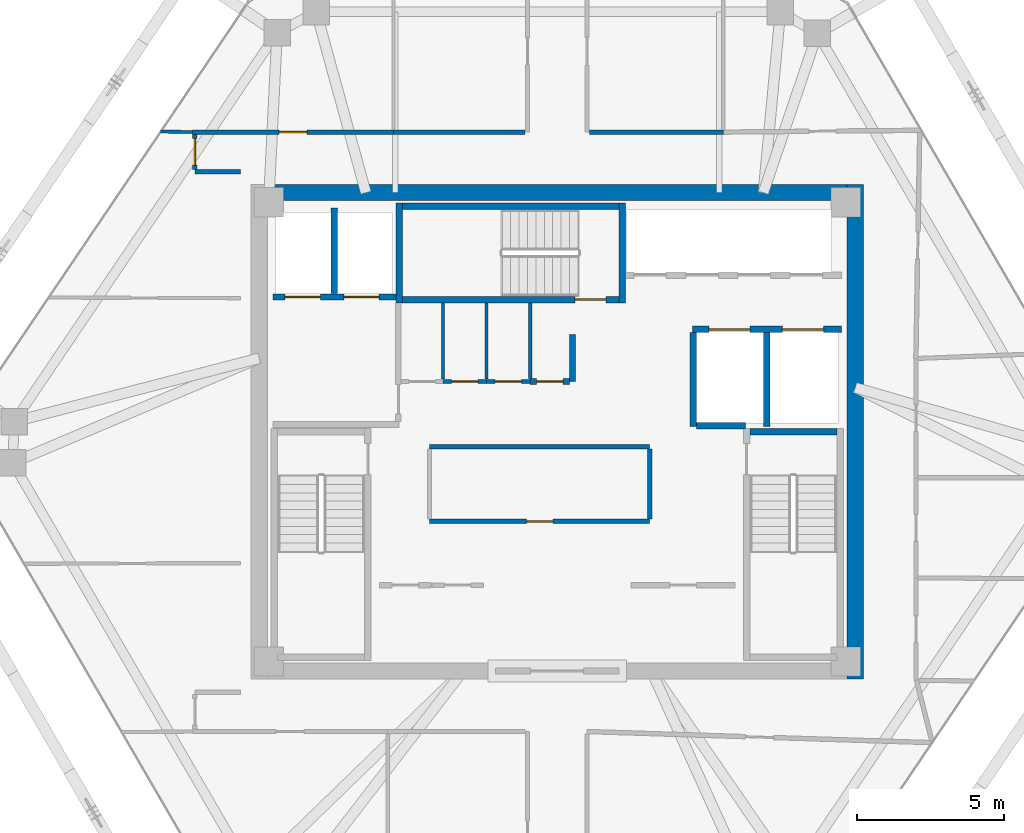
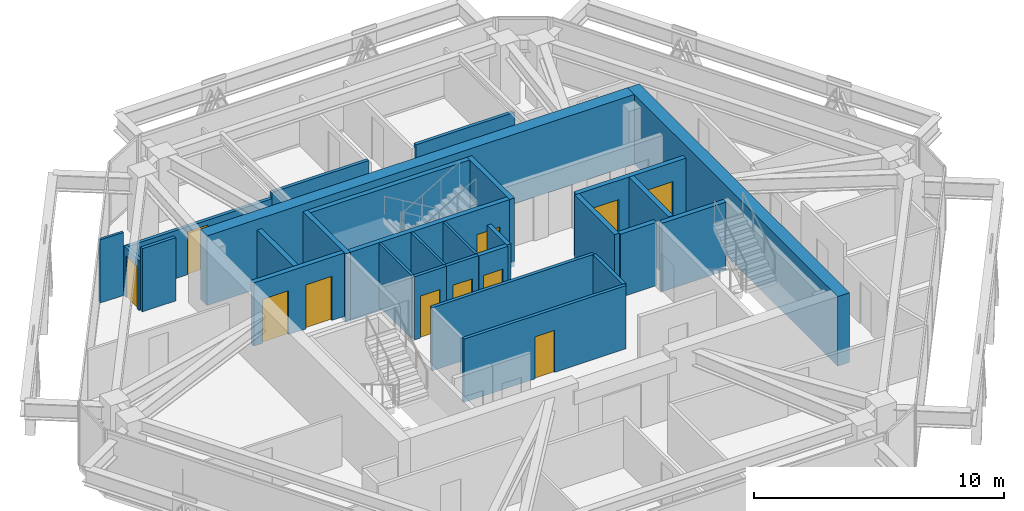
# One storey, part 11 of 14: 29 walls, 11 doors, 11 openings.
"""IFC4 building model written with IfcOpenShell, lengths in metres."""

from ifc_helpers import new_model, si_unit, direction, frame, frame_2d, origin, place, context, subcontext, project, spatial, rectangle, extrude, source, transform, mapped, material, layer, layer_set, type_object, type_shapes, element, fill, save


model = new_model("IFC4")

# Units and contexts
model_context = context("Model", 3, precision=1e-05, world=origin(), true_north=direction((0.0, 1.0)))
body_context = subcontext(model_context, "Body", "Model", "MODEL_VIEW")
ifc_project = project(units=[si_unit("LENGTHUNIT", "METRE"), si_unit("AREAUNIT", "SQUARE_METRE"), si_unit("VOLUMEUNIT", "CUBIC_METRE"), si_unit("PLANEANGLEUNIT", "RADIAN"), si_unit("MASSUNIT", "GRAM", prefix="KILO")], contexts=[model_context])

# Site, building, storey
site_placement = place(None, origin())
site = spatial("IfcSite", under=ifc_project, at=site_placement, CompositionType="ELEMENT")
building_placement = place(site_placement, origin())
building = spatial("IfcBuilding", under=site, at=building_placement, Name="Durnholm Broadcast Tower", CompositionType="ELEMENT")
storey_placement = place(building_placement, frame((0.0, 0.0, 261.5)))
storey = spatial("IfcBuildingStorey", under=building, at=storey_placement, Name="L73", CompositionType="ELEMENT", Elevation=261.5)

# Walls
ifc_material_1 = material(Name="Concrete C70/85", Category="concrete")
ifc_layer_1 = layer(ifc_material_1, 0.550048828125)
ifc_layer_set_1 = layer_set([ifc_layer_1], Name="Concrete C70/85")
wall_type_1 = type_object("IfcWallType", Name="WALL-CW-550", PredefinedType="SHEAR", material=ifc_layer_set_1)
wall_1_placement = place(storey_placement, frame((10.125, -8.39990234375, 0.0), z_axis=(0.0, 0.0, 1.0), x_axis=(0.0, 1.0, 0.0)))
element("IfcWall", 1, at=wall_1_placement, inside=storey, type_object=wall_type_1, Name="L73 central core shear wall CW-EAST", PredefinedType="SHEAR", context=body_context, shape_type="SweptSolid", body=[
    extrude(rectangle(XDim=16.7998046875, YDim=0.550048828125, at=frame_2d((8.39990234375, 0.0))), origin(), (0.0, 0.0, 1.0), 3.39990234375),
])
wall_2_placement = place(storey_placement, frame((-9.85009765625, 8.125, 0.0), z_axis=(0.0, 0.0, 1.0), x_axis=(1.0, 0.0, 0.0)))
element("IfcWall", 2, at=wall_2_placement, inside=storey, type_object=wall_type_1, Name="L73 central core shear wall CW-N", PredefinedType="SHEAR", context=body_context, shape_type="SweptSolid", body=[
    extrude(rectangle(XDim=19.7001953125, YDim=0.550048828125, at=frame_2d((9.85009765625, 0.0))), origin(), (0.0, 0.0, 1.0), 3.39990234375),
])
ifc_material_2 = material(Name="Fire-Rated Gypsum Shaftwall", Category="concrete")
ifc_layer_2 = layer(ifc_material_2, 0.199951171875)
ifc_layer_set_2 = layer_set([ifc_layer_2], Name="Fire-Rated Gypsum Shaftwall")
wall_type_2 = type_object("IfcWallType", Name="WALL-LOB-200", PredefinedType="SOLIDWALL", material=ifc_layer_set_2)
wall_3_placement = place(storey_placement, frame((0.52001953125, 3.300048828125, 0.0), z_axis=(0.0, 0.0, 1.0), x_axis=(0.0, -1.0, 0.0)))
element("IfcWall", 3, at=wall_3_placement, inside=storey, type_object=wall_type_2, Name="L73 Core Signal Sync Room corridor partition", PredefinedType="SOLIDWALL", context=body_context, shape_type="SweptSolid", body=[
    extrude(rectangle(XDim=1.590087890625, YDim=0.199951171875, at=frame_2d((0.794921875, 0.0))), origin(), (0.0, 0.0, 1.0), 3.0849609375),
])

# Wall, opening, door
wall_4_placement = place(storey_placement, frame((0.416015625, 1.7099609375, 0.0), z_axis=(0.0, 0.0, 1.0), x_axis=(-1.0, 0.0, 0.0)))
wall_4 = element("IfcWall", 4, at=wall_4_placement, inside=storey, type_object=wall_type_2, Name="L73 Core Signal Sync Room corridor partition", PredefinedType="SOLIDWALL", context=body_context, shape_type="SweptSolid", body=[
    extrude(rectangle(XDim=1.3359375, YDim=0.199951171875, at=frame_2d((0.66796875, 0.0))), origin(), (0.0, 0.0, 1.0), 3.0849609375),
])
opening_1_placement = place(wall_4_placement, frame((0.218017578125, 0.0, 0.0)))
opening_1 = element("IfcOpeningElement", 5, at=opening_1_placement, cuts=wall_4, Name="Opening DC-60R", PredefinedType="OPENING", context=body_context, shape_type="SweptSolid", body=[
    extrude(rectangle(XDim=0.89990234375, YDim=2.050048828125, at=frame_2d((0.449951171875, 1.02490234375))), frame((0.0, 0.10986328125, 0.0), z_axis=(0.0, -1.0, 0.0), x_axis=(1.0, 0.0, 0.0)), (0.0, 0.0, 1.0), 0.219970703125),
])
ifc_material_3 = material(Name="Fire-Rated Core Service Door", Category="steel")
ifc_layer_3 = layer(ifc_material_3, 0.050048828125)
ifc_layer_set_3 = layer_set([ifc_layer_3], Name="Fire-Rated Core Service Door")
door_type_1 = type_object("IfcDoorType", Name="DOOR-CORE-FD60-R", OperationType="NOTDEFINED", PredefinedType="DOOR", material=ifc_layer_set_3)
shared_shape_1 = source(origin(), body_context, "Body", "SweptSolid", [
    extrude(rectangle(XDim=0.89990234375, YDim=2.050048828125, at=frame_2d((0.449951171875, 1.02490234375))), frame((0.0, 0.02490234375, 0.0), z_axis=(0.0, -1.0, 0.0), x_axis=(1.0, 0.0, 0.0)), (0.0, 0.0, 1.0), 0.050048828125),
])
type_shapes(door_type_1, [shared_shape_1])
door_1_placement = place(opening_1_placement, origin())
door_1 = element("IfcDoor", 6, at=door_1_placement, inside=storey, type_object=door_type_1, Name="L73 Core Signal Sync Room entrance door", OperationType="SINGLE_SWING_RIGHT", OverallHeight=2.050048828125, OverallWidth=0.89990234375, PredefinedType="DOOR", context=body_context, shape_type="MappedRepresentation", body=[
    mapped(shared_shape_1, transform((0.0, 0.0, 0.0), x_axis=(1.0, 0.0, 0.0), y_axis=(0.0, 1.0, 0.0), z_axis=(0.0, 0.0, 1.0), scale=1.0)),
])
fill(opening_1, door_1)

# Walls
ifc_material_4 = material(Name="Operable Acoustic Panel Partition", Category="aluminium")
ifc_layer_4 = layer(ifc_material_4, 0.110107421875)
ifc_layer_set_4 = layer_set([ifc_layer_4], Name="Operable Acoustic Panel Partition")
wall_type_3 = type_object("IfcWallType", Name="WALL-MOV-110", PredefinedType="MOVABLE", material=ifc_layer_set_4)
for number, where, z_axis, x_axis, name in (
    (7, (-3.8798828125, 4.375, 0.0), (0.0, 0.0, 1.0), (0.0, -1.0, 0.0), "L73 room dividing partition 5.6"),
    (8, (-2.39990234375, 4.375, 0.0), (0.0, 0.0, 1.0), (0.0, -1.0, 0.0), "L73 room dividing partition 6.7"),
):
    element("IfcWall", number, at=place(storey_placement, frame(where, z_axis=z_axis, x_axis=x_axis)), inside=storey, type_object=wall_type_3, Name=name, PredefinedType="MOVABLE", context=body_context, shape_type="SweptSolid", body=[
        extrude(rectangle(XDim=2.5859375, YDim=0.110107421875, at=frame_2d((1.29296875, 0.0))), origin(), (0.0, 0.0, 1.0), 3.0849609375),
    ])
wall_5_placement = place(storey_placement, frame((-0.919921875, 4.375, 0.0), z_axis=(0.0, 0.0, 1.0), x_axis=(0.0, -1.0, 0.0)))
element("IfcWall", 9, at=wall_5_placement, inside=storey, type_object=wall_type_3, Name="L73 room dividing partition 7.8", PredefinedType="MOVABLE", context=body_context, shape_type="SweptSolid", body=[
    extrude(rectangle(XDim=2.56103515625, YDim=0.110107421875, at=frame_2d((1.280517578125, 0.0))), origin(), (0.0, 0.0, 1.0), 3.0849609375),
])
wall_6_placement = place(storey_placement, frame((-12.389892578125, 10.181396484375, 0.0), z_axis=(0.0, 0.0, 1.0), x_axis=(-0.999812128272, 0.019383192748, 0.0)))
element("IfcWall", 10, at=wall_6_placement, inside=storey, type_object=wall_type_3, Name="L73 room dividing partition 12.22", PredefinedType="MOVABLE", context=body_context, shape_type="SweptSolid", body=[
    extrude(rectangle(XDim=1.083251953125, YDim=0.110107421875, at=frame_2d((0.54150390625, 0.0))), origin(), (0.0, 0.0, 1.0), 3.0849609375),
])

# Wall, opening, door
ifc_material_5 = material(Name="Acoustic Gypsum Stud Partition", Category="concrete")
ifc_layer_5 = layer(ifc_material_5, 0.14990234375)
ifc_layer_set_5 = layer_set([ifc_layer_5], Name="Acoustic Gypsum Stud Partition")
wall_type_4 = type_object("IfcWallType", Name="WALL-PART-150", PredefinedType="PARTITIONING", material=ifc_layer_set_5)
wall_7_placement = place(storey_placement, frame((3.139892578125, -3.0400390625, 0.0), z_axis=(0.0, 0.0, 1.0), x_axis=(-1.0, 0.0, 0.0)))
wall_7 = element("IfcWall", 11, at=wall_7_placement, inside=storey, type_object=wall_type_4, Name="L73 Broadcast Equipment Pantry corridor partition", PredefinedType="PARTITIONING", context=body_context, shape_type="SweptSolid", body=[
    extrude(rectangle(XDim=7.47998046875, YDim=0.14990234375, at=frame_2d((3.739990234375, 0.0))), origin(), (0.0, 0.0, 1.0), 3.0849609375),
])
opening_2_placement = place(wall_7_placement, frame((3.2900390625, 0.0, 0.0)))
opening_2 = element("IfcOpeningElement", 12, at=opening_2_placement, cuts=wall_7, Name="Opening DC-60R", PredefinedType="OPENING", context=body_context, shape_type="SweptSolid", body=[
    extrude(rectangle(XDim=0.89990234375, YDim=2.050048828125, at=frame_2d((0.449951171875, 1.02490234375))), frame((0.0, 0.0849609375, 0.0), z_axis=(0.0, -1.0, 0.0), x_axis=(1.0, 0.0, 0.0)), (0.0, 0.0, 1.0), 0.169921875),
])
door_2_placement = place(opening_2_placement, origin())
door_2 = element("IfcDoor", 13, at=door_2_placement, inside=storey, type_object=door_type_1, Name="L73 Broadcast Equipment Pantry entrance door", OperationType="SINGLE_SWING_RIGHT", OverallHeight=2.050048828125, OverallWidth=0.89990234375, PredefinedType="DOOR", context=body_context, shape_type="MappedRepresentation", body=[
    mapped(shared_shape_1, transform((0.0, 0.0, 0.0), x_axis=(1.0, 0.0, 0.0), y_axis=(0.0, 1.0, 0.0), z_axis=(0.0, 0.0, 1.0), scale=1.0)),
])
fill(opening_2, door_2)

# Walls
wall_8_placement = place(storey_placement, frame((-4.340087890625, -0.510009765625, 0.0), z_axis=(0.0, 0.0, 1.0), x_axis=(1.0, 0.0, 0.0)))
element("IfcWall", 14, at=wall_8_placement, inside=storey, type_object=wall_type_4, Name="L73 Broadcast Equipment Pantry corridor partition", PredefinedType="PARTITIONING", context=body_context, shape_type="SweptSolid", body=[
    extrude(rectangle(XDim=7.47998046875, YDim=0.14990234375, at=frame_2d((3.739990234375, 0.0))), origin(), (0.0, 0.0, 1.0), 3.0849609375),
])
wall_9_placement = place(storey_placement, frame((3.139892578125, -0.589111328125, 0.0), z_axis=(0.0, 0.0, 1.0), x_axis=(0.0, -1.0, 0.0)))
element("IfcWall", 15, at=wall_9_placement, inside=storey, type_object=wall_type_4, Name="L73 Broadcast Equipment Pantry corridor partition", PredefinedType="PARTITIONING", context=body_context, shape_type="SweptSolid", body=[
    extrude(rectangle(XDim=2.371826171875, YDim=0.14990234375, at=frame_2d((1.18603515625, 0.0))), origin(), (0.0, 0.0, 1.0), 3.0849609375),
])

# Wall, opening, door
wall_10_placement = place(storey_placement, frame((-2.39990234375, 1.7099609375, 0.0), z_axis=(0.0, 0.0, 1.0), x_axis=(-1.0, 0.0, 0.0)))
wall_10 = element("IfcWall", 16, at=wall_10_placement, inside=storey, type_object=wall_type_4, Name="L73 Core Linen Supply Closet corridor partition", PredefinedType="PARTITIONING", context=body_context, shape_type="SweptSolid", body=[
    extrude(rectangle(XDim=1.47998046875, YDim=0.14990234375, at=frame_2d((0.739990234375, 0.0))), origin(), (0.0, 0.0, 1.0), 3.0849609375),
])
opening_3_placement = place(wall_10_placement, frame((0.2900390625, 0.0, 0.0)))
opening_3 = element("IfcOpeningElement", 17, at=opening_3_placement, cuts=wall_10, Name="Opening DC-60R", PredefinedType="OPENING", context=body_context, shape_type="SweptSolid", body=[
    extrude(rectangle(XDim=0.89990234375, YDim=2.050048828125, at=frame_2d((0.449951171875, 1.02490234375))), frame((0.0, 0.0849609375, 0.0), z_axis=(0.0, -1.0, 0.0), x_axis=(1.0, 0.0, 0.0)), (0.0, 0.0, 1.0), 0.169921875),
])
door_3_placement = place(opening_3_placement, origin())
door_3 = element("IfcDoor", 18, at=door_3_placement, inside=storey, type_object=door_type_1, Name="L73 Core Linen Supply Closet entrance door", OperationType="SINGLE_SWING_RIGHT", OverallHeight=2.050048828125, OverallWidth=0.89990234375, PredefinedType="DOOR", context=body_context, shape_type="MappedRepresentation", body=[
    mapped(shared_shape_1, transform((0.0, 0.0, 0.0), x_axis=(1.0, 0.0, 0.0), y_axis=(0.0, 1.0, 0.0), z_axis=(0.0, 0.0, 1.0), scale=1.0)),
])
fill(opening_3, door_3)

wall_11_placement = place(storey_placement, frame((-0.919921875, 1.7099609375, 0.0), z_axis=(0.0, 0.0, 1.0), x_axis=(-1.0, 0.0, 0.0)))
wall_11 = element("IfcWall", 19, at=wall_11_placement, inside=storey, type_object=wall_type_4, Name="L73 Core Safety Gear Store corridor partition", PredefinedType="PARTITIONING", context=body_context, shape_type="SweptSolid", body=[
    extrude(rectangle(XDim=1.47998046875, YDim=0.14990234375, at=frame_2d((0.739990234375, 0.0))), origin(), (0.0, 0.0, 1.0), 3.0849609375),
])
opening_4_placement = place(wall_11_placement, frame((0.2900390625, 0.0, 0.0)))
opening_4 = element("IfcOpeningElement", 20, at=opening_4_placement, cuts=wall_11, Name="Opening DC-60L", PredefinedType="OPENING", context=body_context, shape_type="SweptSolid", body=[
    extrude(rectangle(XDim=0.89990234375, YDim=2.050048828125, at=frame_2d((0.449951171875, 1.02490234375))), frame((0.0, 0.0849609375, 0.0), z_axis=(0.0, -1.0, 0.0), x_axis=(1.0, 0.0, 0.0)), (0.0, 0.0, 1.0), 0.169921875),
])
ifc_layer_6 = layer(ifc_material_3, 0.050048828125)
ifc_layer_set_6 = layer_set([ifc_layer_6], Name="Fire-Rated Core Service Door")
door_type_2 = type_object("IfcDoorType", Name="DOOR-CORE-FD60-L", OperationType="NOTDEFINED", PredefinedType="DOOR", material=ifc_layer_set_6)
shared_shape_2 = source(origin(), body_context, "Body", "SweptSolid", [
    extrude(rectangle(XDim=0.89990234375, YDim=2.050048828125, at=frame_2d((0.449951171875, 1.02490234375))), frame((0.0, 0.02490234375, 0.0), z_axis=(0.0, -1.0, 0.0), x_axis=(1.0, 0.0, 0.0)), (0.0, 0.0, 1.0), 0.050048828125),
])
type_shapes(door_type_2, [shared_shape_2])
door_4_placement = place(opening_4_placement, origin())
door_4 = element("IfcDoor", 21, at=door_4_placement, inside=storey, type_object=door_type_2, Name="L73 Core Safety Gear Store entrance door", OperationType="SINGLE_SWING_LEFT", OverallHeight=2.050048828125, OverallWidth=0.89990234375, PredefinedType="DOOR", context=body_context, shape_type="MappedRepresentation", body=[
    mapped(shared_shape_2, transform((0.0, 0.0, 0.0), x_axis=(1.0, 0.0, 0.0), y_axis=(0.0, 1.0, 0.0), z_axis=(0.0, 0.0, 1.0), scale=1.0)),
])
fill(opening_4, door_4)

wall_12_placement = place(storey_placement, frame((-5.56005859375, 10.179931640625, 0.0), z_axis=(0.0, 0.0, 1.0), x_axis=(-1.0, 0.0, 0.0)))
wall_12 = element("IfcWall", 22, at=wall_12_placement, inside=storey, type_object=wall_type_4, Name="L73 Open Plan Broadcast Workspace 2 corridor partition", PredefinedType="PARTITIONING", context=body_context, shape_type="SweptSolid", body=[
    extrude(rectangle(XDim=6.829833984375, YDim=0.14990234375, at=frame_2d((3.4150390625, 0.0))), origin(), (0.0, 0.0, 1.0), 2.34130859375),
])
opening_5_placement = place(wall_12_placement, frame((2.93994140625, 0.0, 0.0)))
opening_5 = element("IfcOpeningElement", 23, at=opening_5_placement, cuts=wall_12, Name="Opening DR-95R", PredefinedType="OPENING", context=body_context, shape_type="SweptSolid", body=[
    extrude(rectangle(XDim=0.949951171875, YDim=2.10009765625, at=frame_2d((0.47509765625, 1.050048828125))), frame((0.0, 0.0849609375, 0.0), z_axis=(0.0, -1.0, 0.0), x_axis=(1.0, 0.0, 0.0)), (0.0, 0.0, 1.0), 0.169921875),
])
ifc_material_6 = material(Name="Acoustic Oak Veneer Timber Door", Category="wood")
ifc_layer_7 = layer(ifc_material_6, 0.050048828125)
ifc_layer_set_7 = layer_set([ifc_layer_7], Name="Acoustic Oak Veneer Timber Door")
door_type_3 = type_object("IfcDoorType", Name="DOOR-RM-950R", OperationType="NOTDEFINED", PredefinedType="DOOR", material=ifc_layer_set_7)
shared_shape_3 = source(origin(), body_context, "Body", "SweptSolid", [
    extrude(rectangle(XDim=0.949951171875, YDim=2.10009765625, at=frame_2d((0.47509765625, 1.050048828125))), frame((0.0, 0.02490234375, 0.0), z_axis=(0.0, -1.0, 0.0), x_axis=(1.0, 0.0, 0.0)), (0.0, 0.0, 1.0), 0.050048828125),
])
type_shapes(door_type_3, [shared_shape_3])
door_5_placement = place(opening_5_placement, origin())
door_5 = element("IfcDoor", 24, at=door_5_placement, inside=storey, type_object=door_type_3, Name="L73 Open Plan Broadcast Workspace 2 entrance door", OperationType="SINGLE_SWING_RIGHT", OverallHeight=2.10009765625, OverallWidth=0.949951171875, PredefinedType="DOOR", context=body_context, shape_type="MappedRepresentation", body=[
    mapped(shared_shape_3, transform((0.0, 0.0, 0.0), x_axis=(1.0, 0.0, 0.0), y_axis=(0.0, 1.0, 0.0), z_axis=(0.0, 0.0, 1.0), scale=1.0)),
])
fill(opening_5, door_5)

# Walls
wall_13_placement = place(storey_placement, frame((-1.089111328125, 10.179931640625, 0.0), z_axis=(0.0, 0.0, 1.0), x_axis=(-1.0, 0.0, 0.0)))
element("IfcWall", 25, at=wall_13_placement, inside=storey, type_object=wall_type_4, Name="L73 CEO Broadcast Lounge corridor partition", PredefinedType="PARTITIONING", context=body_context, shape_type="SweptSolid", body=[
    extrude(rectangle(XDim=4.470947265625, YDim=0.14990234375, at=frame_2d((2.2353515625, 0.0))), origin(), (0.0, 0.0, 1.0), 2.6484375),
])
wall_14_placement = place(storey_placement, frame((5.639892578125, 10.179931640625, 0.0), z_axis=(0.0, 0.0, 1.0), x_axis=(-1.0, 0.0, 0.0)))
element("IfcWall", 26, at=wall_14_placement, inside=storey, type_object=wall_type_4, Name="L73 COO Editorial Dining Room corridor partition", PredefinedType="PARTITIONING", context=body_context, shape_type="SweptSolid", body=[
    extrude(rectangle(XDim=4.55078125, YDim=0.14990234375, at=frame_2d((2.275390625, 0.0))), origin(), (0.0, 0.0, 1.0), 2.6484375),
])
wall_15_placement = place(storey_placement, frame((-12.31005859375, 8.840087890625, 0.0), z_axis=(0.0, 0.0, 1.0), x_axis=(1.0, 0.0, 0.0)))
element("IfcWall", 27, at=wall_15_placement, inside=storey, type_object=wall_type_4, Name="L73 COO Editorial Dining Room corridor partition", PredefinedType="PARTITIONING", context=body_context, shape_type="SweptSolid", body=[
    extrude(rectangle(XDim=1.550048828125, YDim=0.14990234375, at=frame_2d((0.77490234375, 0.0))), origin(), (0.0, 0.0, 1.0), 3.0849609375),
])

# Wall, opening, door
wall_16_placement = place(storey_placement, frame((-12.31005859375, 10.10107421875, 0.0), z_axis=(0.0, 0.0, 1.0), x_axis=(0.0, -1.0, 0.0)))
wall_16 = element("IfcWall", 28, at=wall_16_placement, inside=storey, type_object=wall_type_4, Name="L73 COO Editorial Dining Room corridor partition", PredefinedType="PARTITIONING", context=body_context, shape_type="SweptSolid", body=[
    extrude(rectangle(XDim=1.18212890625, YDim=0.14990234375, at=frame_2d((0.591064453125, 0.0))), origin(), (0.0, 0.0, 1.0), 2.438720703125),
])
opening_6_placement = place(wall_16_placement, frame((0.14111328125, 0.0, 0.0)))
opening_6 = element("IfcOpeningElement", 29, at=opening_6_placement, cuts=wall_16, Name="Opening DW-90R", PredefinedType="OPENING", context=body_context, shape_type="SweptSolid", body=[
    extrude(rectangle(XDim=0.89990234375, YDim=2.050048828125, at=frame_2d((0.449951171875, 1.02490234375))), frame((0.0, 0.0849609375, 0.0), z_axis=(0.0, -1.0, 0.0), x_axis=(1.0, 0.0, 0.0)), (0.0, 0.0, 1.0), 0.169921875),
])
ifc_material_7 = material(Name="Laminate Restroom Door", Category="steel")
ifc_layer_8 = layer(ifc_material_7, 0.050048828125)
ifc_layer_set_8 = layer_set([ifc_layer_8], Name="Laminate Restroom Door")
door_type_4 = type_object("IfcDoorType", Name="DOOR-WC-900R", OperationType="NOTDEFINED", PredefinedType="DOOR", material=ifc_layer_set_8)
shared_shape_4 = source(origin(), body_context, "Body", "SweptSolid", [
    extrude(rectangle(XDim=0.89990234375, YDim=2.050048828125, at=frame_2d((0.449951171875, 1.02490234375))), frame((0.0, 0.02490234375, 0.0), z_axis=(0.0, -1.0, 0.0), x_axis=(1.0, 0.0, 0.0)), (0.0, 0.0, 1.0), 0.050048828125),
])
type_shapes(door_type_4, [shared_shape_4])
door_6_placement = place(opening_6_placement, origin())
door_6 = element("IfcDoor", 30, at=door_6_placement, inside=storey, type_object=door_type_4, Name="L73 COO Editorial Dining Room entrance door", OperationType="SINGLE_SWING_RIGHT", OverallHeight=2.050048828125, OverallWidth=0.89990234375, PredefinedType="DOOR", context=body_context, shape_type="MappedRepresentation", body=[
    mapped(shared_shape_4, transform((0.0, 0.0, 0.0), x_axis=(1.0, 0.0, 0.0), y_axis=(0.0, 1.0, 0.0), z_axis=(0.0, 0.0, 1.0), scale=1.0)),
])
fill(opening_6, door_6)

# Wall, openings, doors
ifc_material_8 = material(Name="Concrete Blockwork C30/37", Category="masonry")
ifc_layer_9 = layer(ifc_material_8, 0.219970703125)
ifc_layer_set_9 = layer_set([ifc_layer_9], Name="Concrete Blockwork C30/37")
wall_type_5 = type_object("IfcWallType", Name="WALL-SHAFT-220", PredefinedType="SOLIDWALL", material=ifc_layer_set_9)
wall_17_placement = place(storey_placement, frame((-9.64990234375, 4.580078125, 0.0), z_axis=(0.0, 0.0, 1.0), x_axis=(1.0, 0.0, 0.0)))
wall_17 = element("IfcWall", 31, at=wall_17_placement, inside=storey, type_object=wall_type_5, Name="L73 FSAE hoistway front fire wall", PredefinedType="SOLIDWALL", context=body_context, shape_type="SweptSolid", body=[
    extrude(rectangle(XDim=4.1748046875, YDim=0.219970703125, at=frame_2d((2.08740234375, 0.0))), origin(), (0.0, 0.0, 1.0), 3.0849609375),
])
opening_7_placement = place(wall_17_placement, frame((0.39990234375, 0.0, 0.0)))
opening_7 = element("IfcOpeningElement", 32, at=opening_7_placement, cuts=wall_17, Name="Opening LD-FSAE-2", PredefinedType="OPENING", context=body_context, shape_type="SweptSolid", body=[
    extrude(rectangle(XDim=1.199951171875, YDim=2.14990234375, at=frame_2d((0.60009765625, 1.074951171875))), frame((0.0, 0.1201171875, 0.0), z_axis=(0.0, -1.0, 0.0), x_axis=(1.0, 0.0, 0.0)), (0.0, 0.0, 1.0), 0.239990234375),
])
opening_8_placement = place(wall_17_placement, frame((2.39990234375, 0.0, 0.0)))
opening_8 = element("IfcOpeningElement", 33, at=opening_8_placement, cuts=wall_17, Name="Opening LD-FSAE-1", PredefinedType="OPENING", context=body_context, shape_type="SweptSolid", body=[
    extrude(rectangle(XDim=1.199951171875, YDim=2.14990234375, at=frame_2d((0.60009765625, 1.074951171875))), frame((0.0, 0.1201171875, 0.0), z_axis=(0.0, -1.0, 0.0), x_axis=(1.0, 0.0, 0.0)), (0.0, 0.0, 1.0), 0.239990234375),
])
ifc_material_9 = material(Name="Fire Service Access Sliding Landing Door", Category="steel")
ifc_layer_10 = layer(ifc_material_9, 0.050048828125)
ifc_layer_set_10 = layer_set([ifc_layer_10], Name="Fire Service Access Sliding Landing Door")
door_type_5 = type_object("IfcDoorType", Name="DOOR-LIFT-FSAE", OperationType="DOUBLE_DOOR_SLIDING", PredefinedType="DOOR", material=ifc_layer_set_10)
shared_shape_5 = source(origin(), body_context, "Body", "SweptSolid", [
    extrude(rectangle(XDim=1.199951171875, YDim=2.14990234375, at=frame_2d((0.60009765625, 1.074951171875))), frame((0.0, 0.02490234375, 0.0), z_axis=(0.0, -1.0, 0.0), x_axis=(1.0, 0.0, 0.0)), (0.0, 0.0, 1.0), 0.050048828125),
])
type_shapes(door_type_5, [shared_shape_5])
door_7_placement = place(opening_7_placement, origin())
door_7 = element("IfcDoor", 34, at=door_7_placement, inside=storey, type_object=door_type_5, Name="L73 Fire Service Access Elevator FSAE-2 sliding landing door", OperationType="DOUBLE_DOOR_SLIDING", OverallHeight=2.14990234375, OverallWidth=1.199951171875, PredefinedType="DOOR", context=body_context, shape_type="MappedRepresentation", body=[
    mapped(shared_shape_5, transform((0.0, 0.0, 0.0), x_axis=(1.0, 0.0, 0.0), y_axis=(0.0, 1.0, 0.0), z_axis=(0.0, 0.0, 1.0), scale=1.0)),
])
fill(opening_7, door_7)
door_8_placement = place(opening_8_placement, origin())
door_8 = element("IfcDoor", 35, at=door_8_placement, inside=storey, type_object=door_type_5, Name="L73 Fire Service Access Elevator FSAE-1 sliding landing door", OperationType="DOUBLE_DOOR_SLIDING", OverallHeight=2.14990234375, OverallWidth=1.199951171875, PredefinedType="DOOR", context=body_context, shape_type="MappedRepresentation", body=[
    mapped(shared_shape_5, transform((0.0, 0.0, 0.0), x_axis=(1.0, 0.0, 0.0), y_axis=(0.0, 1.0, 0.0), z_axis=(0.0, 0.0, 1.0), scale=1.0)),
])
fill(opening_8, door_8)

# Wall
wall_18_placement = place(storey_placement, frame((-7.580078125, 4.694091796875, 0.0), z_axis=(0.0, 0.0, 1.0), x_axis=(0.0, 1.0, 0.0)))
element("IfcWall", 36, at=wall_18_placement, inside=storey, type_object=wall_type_5, Name="L73 FSAE shaft divider wall", PredefinedType="SOLIDWALL", context=body_context, shape_type="SweptSolid", body=[
    extrude(rectangle(XDim=2.906005859375, YDim=0.219970703125, at=frame_2d((1.453125, 0.0))), origin(), (0.0, 0.0, 1.0), 3.0849609375),
])

# Wall, openings, doors
wall_19_placement = place(storey_placement, frame((4.60009765625, 3.47998046875, 0.0), z_axis=(0.0, 0.0, 1.0), x_axis=(1.0, 0.0, 0.0)))
wall_19 = element("IfcWall", 37, at=wall_19_placement, inside=storey, type_object=wall_type_5, Name="L73 freight service lifts north front wall", PredefinedType="SOLIDWALL", context=body_context, shape_type="SweptSolid", body=[
    extrude(rectangle(XDim=5.0498046875, YDim=0.219970703125, at=frame_2d((2.52490234375, 0.0))), origin(), (0.0, 0.0, 1.0), 3.0849609375),
])
opening_9_placement = place(wall_19_placement, frame((0.550048828125, 0.0, 0.0)))
opening_9 = element("IfcOpeningElement", 38, at=opening_9_placement, cuts=wall_19, Name="Opening LD-SVL-2", PredefinedType="OPENING", context=body_context, shape_type="SweptSolid", body=[
    extrude(rectangle(XDim=1.39990234375, YDim=2.14990234375, at=frame_2d((0.699951171875, 1.074951171875))), frame((0.0, 0.1201171875, 0.0), z_axis=(0.0, -1.0, 0.0), x_axis=(1.0, 0.0, 0.0)), (0.0, 0.0, 1.0), 0.239990234375),
])
opening_10_placement = place(wall_19_placement, frame((3.050048828125, 0.0, 0.0)))
opening_10 = element("IfcOpeningElement", 39, at=opening_10_placement, cuts=wall_19, Name="Opening LD-SVL-1", PredefinedType="OPENING", context=body_context, shape_type="SweptSolid", body=[
    extrude(rectangle(XDim=1.39990234375, YDim=2.14990234375, at=frame_2d((0.699951171875, 1.074951171875))), frame((0.0, 0.1201171875, 0.0), z_axis=(0.0, -1.0, 0.0), x_axis=(1.0, 0.0, 0.0)), (0.0, 0.0, 1.0), 0.239990234375),
])
ifc_material_10 = material(Name="Freight Elevator Bi-Parting Sliding Landing Door", Category="steel")
ifc_layer_11 = layer(ifc_material_10, 0.050048828125)
ifc_layer_set_11 = layer_set([ifc_layer_11], Name="Freight Elevator Bi-Parting Sliding Landing Door")
door_type_6 = type_object("IfcDoorType", Name="DOOR-LIFT-SVL", OperationType="DOUBLE_DOOR_SLIDING", PredefinedType="DOOR", material=ifc_layer_set_11)
shared_shape_6 = source(origin(), body_context, "Body", "SweptSolid", [
    extrude(rectangle(XDim=1.39990234375, YDim=2.14990234375, at=frame_2d((0.699951171875, 1.074951171875))), frame((0.0, 0.02490234375, 0.0), z_axis=(0.0, -1.0, 0.0), x_axis=(1.0, 0.0, 0.0)), (0.0, 0.0, 1.0), 0.050048828125),
])
type_shapes(door_type_6, [shared_shape_6])
door_9_placement = place(opening_9_placement, origin())
door_9 = element("IfcDoor", 40, at=door_9_placement, inside=storey, type_object=door_type_6, Name="L73 freight service elevator SVL-2 sliding landing door", OperationType="DOUBLE_DOOR_SLIDING", OverallHeight=2.14990234375, OverallWidth=1.39990234375, PredefinedType="DOOR", context=body_context, shape_type="MappedRepresentation", body=[
    mapped(shared_shape_6, transform((0.0, 0.0, 0.0), x_axis=(1.0, 0.0, 0.0), y_axis=(0.0, 1.0, 0.0), z_axis=(0.0, 0.0, 1.0), scale=1.0)),
])
fill(opening_9, door_9)
door_10_placement = place(opening_10_placement, origin())
door_10 = element("IfcDoor", 41, at=door_10_placement, inside=storey, type_object=door_type_6, Name="L73 freight service elevator SVL-1 sliding landing door", OperationType="DOUBLE_DOOR_SLIDING", OverallHeight=2.14990234375, OverallWidth=1.39990234375, PredefinedType="DOOR", context=body_context, shape_type="MappedRepresentation", body=[
    mapped(shared_shape_6, transform((0.0, 0.0, 0.0), x_axis=(1.0, 0.0, 0.0), y_axis=(0.0, 1.0, 0.0), z_axis=(0.0, 0.0, 1.0), scale=1.0)),
])
fill(opening_10, door_10)

# Walls
for number, where, z_axis, x_axis, name in (
    (42, (4.6201171875, 0.179931640625, 0.0), (0.0, 0.0, 1.0), (0.0, 1.0, 0.0), "L73 freight service lift SVL-2 west wall"),
    (43, (7.1201171875, 0.179931640625, 0.0), (0.0, 0.0, 1.0), (0.0, 1.0, 0.0), "L73 freight service lifts divider wall"),
):
    element("IfcWall", number, at=place(storey_placement, frame(where, z_axis=z_axis, x_axis=x_axis)), inside=storey, type_object=wall_type_5, Name=name, PredefinedType="SOLIDWALL", context=body_context, shape_type="SweptSolid", body=[
        extrude(rectangle(XDim=3.18603515625, YDim=0.219970703125, at=frame_2d((1.593017578125, 0.0))), origin(), (0.0, 0.0, 1.0), 3.0849609375),
    ])
wall_20_placement = place(storey_placement, frame((4.73388671875, 0.199951171875, 0.0), z_axis=(0.0, 0.0, 1.0), x_axis=(1.0, 0.0, 0.0)))
element("IfcWall", 44, at=wall_20_placement, inside=storey, type_object=wall_type_5, Name="L73 freight service lift SVL-2 south wall", PredefinedType="SOLIDWALL", context=body_context, shape_type="SweptSolid", body=[
    extrude(rectangle(XDim=1.666015625, YDim=0.219970703125, at=frame_2d((0.8330078125, 0.0))), origin(), (0.0, 0.0, 1.0), 3.0849609375),
])
ifc_material_11 = material(Name="Concrete C50/60", Category="concrete")
ifc_layer_12 = layer(ifc_material_11, 0.219970703125)
ifc_layer_set_12 = layer_set([ifc_layer_12], Name="Concrete C50/60")
wall_type_6 = type_object("IfcWallType", Name="WALL-SW-220", PredefinedType="SHEAR", material=ifc_layer_set_12)
wall_21_placement = place(storey_placement, frame((9.5, 0.010009765625, -0.239990234375), z_axis=(0.0, 0.0, 1.0), x_axis=(-1.0, 0.0, 0.0)))
element("IfcWall", 45, at=wall_21_placement, inside=storey, type_object=wall_type_6, Name="L73 stair ST-2 structural shaft wall N", PredefinedType="SHEAR", context=body_context, shape_type="SweptSolid", body=[
    extrude(rectangle(XDim=2.9599609375, YDim=0.219970703125, at=frame_2d((1.47998046875, 0.0))), origin(), (0.0, 0.0, 1.0), 3.340087890625),
])
for number, where, z_axis, x_axis, name in (
    (46, (2.2099609375, 4.3798828125, -0.239990234375), (0.0, 0.0, 1.0), (0.0, 1.0, 0.0), "L73 stair ST-3 structural shaft wall E"),
    (47, (-5.360107421875, 7.780029296875, -0.239990234375), (0.0, 0.0, 1.0), (0.0, -1.0, 0.0), "L73 stair ST-3 structural shaft wall W"),
):
    element("IfcWall", number, at=place(storey_placement, frame(where, z_axis=z_axis, x_axis=x_axis)), inside=storey, type_object=wall_type_6, Name=name, PredefinedType="SHEAR", context=body_context, shape_type="SweptSolid", body=[
        extrude(rectangle(XDim=3.400146484375, YDim=0.219970703125, at=frame_2d((1.7001953125, 0.0))), origin(), (0.0, 0.0, 1.0), 3.340087890625),
    ])

# Wall, opening, door
wall_22_placement = place(storey_placement, frame((-5.25, 4.489990234375, -0.239990234375), z_axis=(0.0, 0.0, 1.0), x_axis=(1.0, 0.0, 0.0)))
wall_22 = element("IfcWall", 48, at=wall_22_placement, inside=storey, type_object=wall_type_6, Name="L73 stair ST-3 structural shaft wall S", PredefinedType="SHEAR", context=body_context, shape_type="SweptSolid", body=[
    extrude(rectangle(XDim=7.35009765625, YDim=0.219970703125, at=frame_2d((3.675048828125, 0.0))), origin(), (0.0, 0.0, 1.0), 3.340087890625),
])
opening_11_placement = place(wall_22_placement, frame((5.85009765625, 0.0, 0.0)))
opening_11 = element("IfcOpeningElement", 49, at=opening_11_placement, cuts=wall_22, Name="Opening DS-90L", PredefinedType="OPENING", context=body_context, shape_type="SweptSolid", body=[
    extrude(rectangle(XDim=1.050048828125, YDim=2.14990234375, at=frame_2d((0.52490234375, 1.074951171875))), frame((0.0, 0.1201171875, 0.0), z_axis=(0.0, -1.0, 0.0), x_axis=(1.0, 0.0, 0.0)), (0.0, 0.0, 1.0), 0.239990234375),
])
ifc_material_12 = material(Name="Fire-Rated Steel Door", Category="steel")
ifc_layer_13 = layer(ifc_material_12, 0.050048828125)
ifc_layer_set_13 = layer_set([ifc_layer_13], Name="Fire-Rated Steel Door")
door_type_7 = type_object("IfcDoorType", Name="DOOR-ST-FD90-L", OperationType="NOTDEFINED", PredefinedType="DOOR", material=ifc_layer_set_13)
shared_shape_7 = source(origin(), body_context, "Body", "SweptSolid", [
    extrude(rectangle(XDim=1.050048828125, YDim=2.14990234375, at=frame_2d((0.52490234375, 1.074951171875))), frame((0.0, 0.02490234375, 0.0), z_axis=(0.0, -1.0, 0.0), x_axis=(1.0, 0.0, 0.0)), (0.0, 0.0, 1.0), 0.050048828125),
])
type_shapes(door_type_7, [shared_shape_7])
door_11_placement = place(opening_11_placement, origin())
door_11 = element("IfcDoor", 50, at=door_11_placement, inside=storey, type_object=door_type_7, Name="L73 exit stair ST-3 fire door", OperationType="SINGLE_SWING_LEFT", OverallHeight=2.14990234375, OverallWidth=1.050048828125, PredefinedType="DOOR", context=body_context, shape_type="MappedRepresentation", body=[
    mapped(shared_shape_7, transform((0.0, 0.0, 0.0), x_axis=(1.0, 0.0, 0.0), y_axis=(0.0, 1.0, 0.0), z_axis=(0.0, 0.0, 1.0), scale=1.0)),
])
fill(opening_11, door_11)

# Wall
wall_23_placement = place(storey_placement, frame((2.10009765625, 7.669921875, -0.239990234375), z_axis=(0.0, 0.0, 1.0), x_axis=(-1.0, 0.0, 0.0)))
element("IfcWall", 51, at=wall_23_placement, inside=storey, type_object=wall_type_6, Name="L73 stair ST-3 structural shaft wall N", PredefinedType="SHEAR", context=body_context, shape_type="SweptSolid", body=[
    extrude(rectangle(XDim=7.35009765625, YDim=0.219970703125, at=frame_2d((3.675048828125, 0.0))), origin(), (0.0, 0.0, 1.0), 3.340087890625),
])

save(model, "model.ifc")
